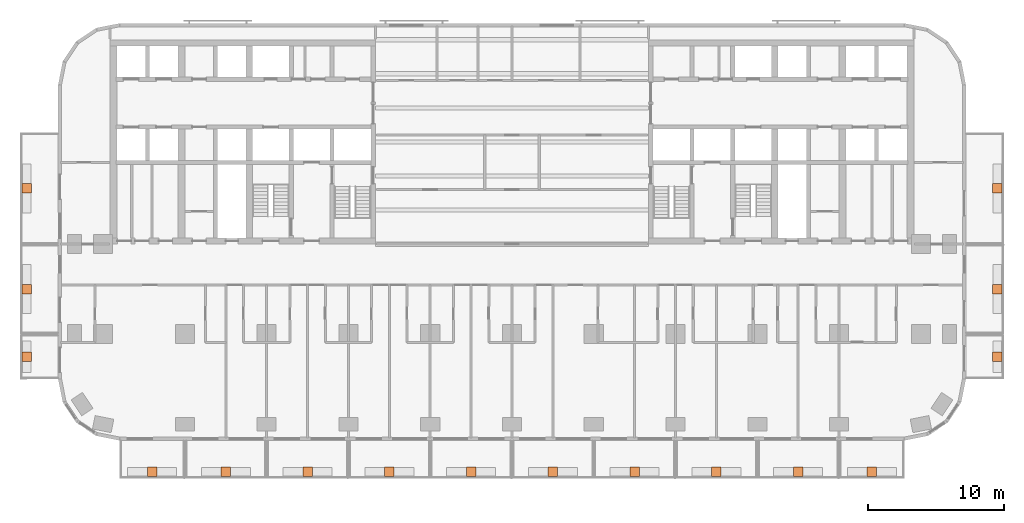
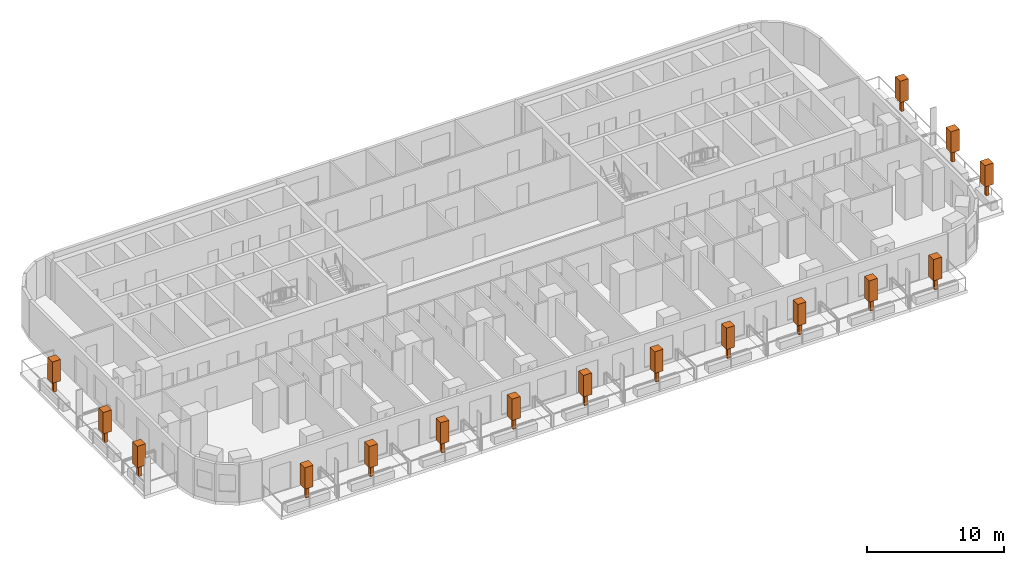
# One storey, part 15 of 15: 16 geographic elements.
"""IFC4 building model written with IfcOpenShell, lengths in metres."""

from ifc_helpers import new_model, si_unit, direction, frame, origin, origin_2d, place, context, subcontext, project, spatial, rectangle, extrude, material, element, save


model = new_model("IFC4")

# Units and contexts
model_context = context("Model", 3, precision=1e-05, world=origin(), true_north=direction((0.0, 1.0)))
body_context = subcontext(model_context, "Body", "Model", "MODEL_VIEW")
ifc_project = project(units=[si_unit("LENGTHUNIT", "METRE"), si_unit("AREAUNIT", "SQUARE_METRE"), si_unit("VOLUMEUNIT", "CUBIC_METRE"), si_unit("PLANEANGLEUNIT", "RADIAN"), si_unit("MASSUNIT", "GRAM", prefix="KILO")], contexts=[model_context])

# Site, building, storey
site_placement = place(None, origin())
site = spatial("IfcSite", under=ifc_project, at=site_placement, CompositionType="ELEMENT")
building_placement = place(site_placement, origin())
building = spatial("IfcBuilding", under=site, at=building_placement, Name="Torana Hotel and Residences", CompositionType="ELEMENT")
storey_placement = place(building_placement, frame((0.0, 0.0, 42.0)))
storey = spatial("IfcBuildingStorey", under=building, at=storey_placement, Name="L09", CompositionType="ELEMENT", Elevation=42.0)

# Geographic elements
ifc_material = material(Name="Foliage", Category="planting")
for number, where, z_axis, x_axis, name in (
    (1, (-26.39990234375, -31.699951171875, 0.64990234375), (0.0, 0.0, 1.0), (1.0, 0.0, 0.0), "Tree 01"),
    (2, (-21.0, -31.699951171875, 0.64990234375), (0.0, 0.0, 1.0), (1.0, 0.0, 0.0), "Tree 02"),
    (3, (-15.0, -31.699951171875, 0.64990234375), (0.0, 0.0, 1.0), (1.0, 0.0, 0.0), "Tree 03"),
    (4, (-9.0, -31.699951171875, 0.64990234375), (0.0, 0.0, 1.0), (1.0, 0.0, 0.0), "Tree 04"),
    (5, (-3.0, -31.699951171875, 0.64990234375), (0.0, 0.0, 1.0), (1.0, 0.0, 0.0), "Tree 05"),
    (6, (3.0, -31.699951171875, 0.64990234375), (0.0, 0.0, 1.0), (1.0, 0.0, 0.0), "Tree 06"),
    (7, (9.0, -31.699951171875, 0.64990234375), (0.0, 0.0, 1.0), (1.0, 0.0, 0.0), "Tree 07"),
    (8, (15.0, -31.699951171875, 0.64990234375), (0.0, 0.0, 1.0), (1.0, 0.0, 0.0), "Tree 08"),
    (9, (21.0, -31.699951171875, 0.64990234375), (0.0, 0.0, 1.0), (1.0, 0.0, 0.0), "Tree 09"),
    (10, (26.39990234375, -31.699951171875, 0.64990234375), (0.0, 0.0, 1.0), (1.0, 0.0, 0.0), "Tree 10"),
    (11, (-35.60009765625, -23.25, 0.64990234375), (0.0, 0.0, 1.0), (1.0, 0.0, 0.0), "Tree 11"),
    (12, (-35.60009765625, -18.300048828125, 0.64990234375), (0.0, 0.0, 1.0), (1.0, 0.0, 0.0), "Tree 12"),
    (13, (-35.60009765625, -10.89990234375, 0.64990234375), (0.0, 0.0, 1.0), (1.0, 0.0, 0.0), "Tree 13"),
    (14, (35.60009765625, -23.25, 0.64990234375), (0.0, 0.0, 1.0), (1.0, 0.0, 0.0), "Tree 14"),
    (15, (35.60009765625, -18.300048828125, 0.64990234375), (0.0, 0.0, 1.0), (1.0, 0.0, 0.0), "Tree 15"),
    (16, (35.60009765625, -10.89990234375, 0.64990234375), (0.0, 0.0, 1.0), (1.0, 0.0, 0.0), "Tree 16"),
):
    element("IfcGeographicElement", number, at=place(storey_placement, frame(where, z_axis=z_axis, x_axis=x_axis)), inside=storey, material=ifc_material, Name=name, ObjectType="TREE", PredefinedType="USERDEFINED", context=body_context, shape_type="SweptSolid", body=[
        extrude(rectangle(XDim=0.25, YDim=0.25, at=origin_2d()), origin(), (0.0, 0.0, 1.0), 1.0),
        extrude(rectangle(XDim=0.699951171875, YDim=0.699951171875, at=origin_2d()), frame((0.0, 0.0, 1.000244140625)), (0.0, 0.0, 1.0), 1.89990234375),
    ])

save(model, "model.ifc")
